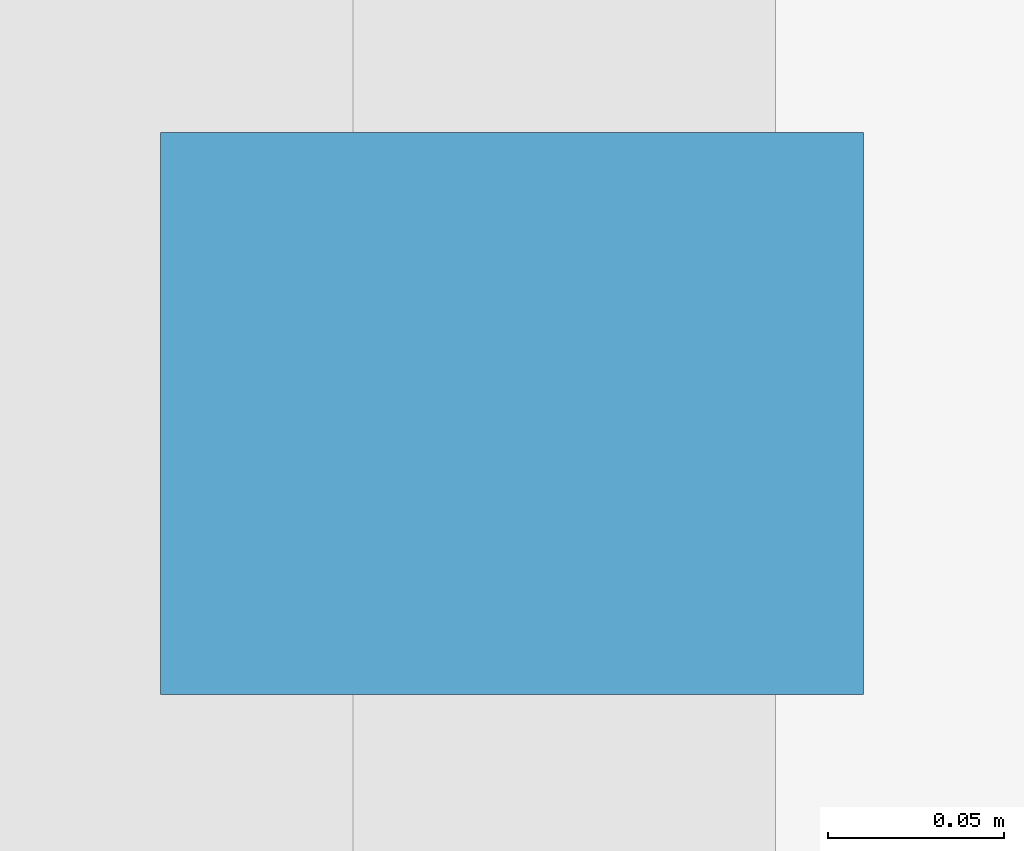
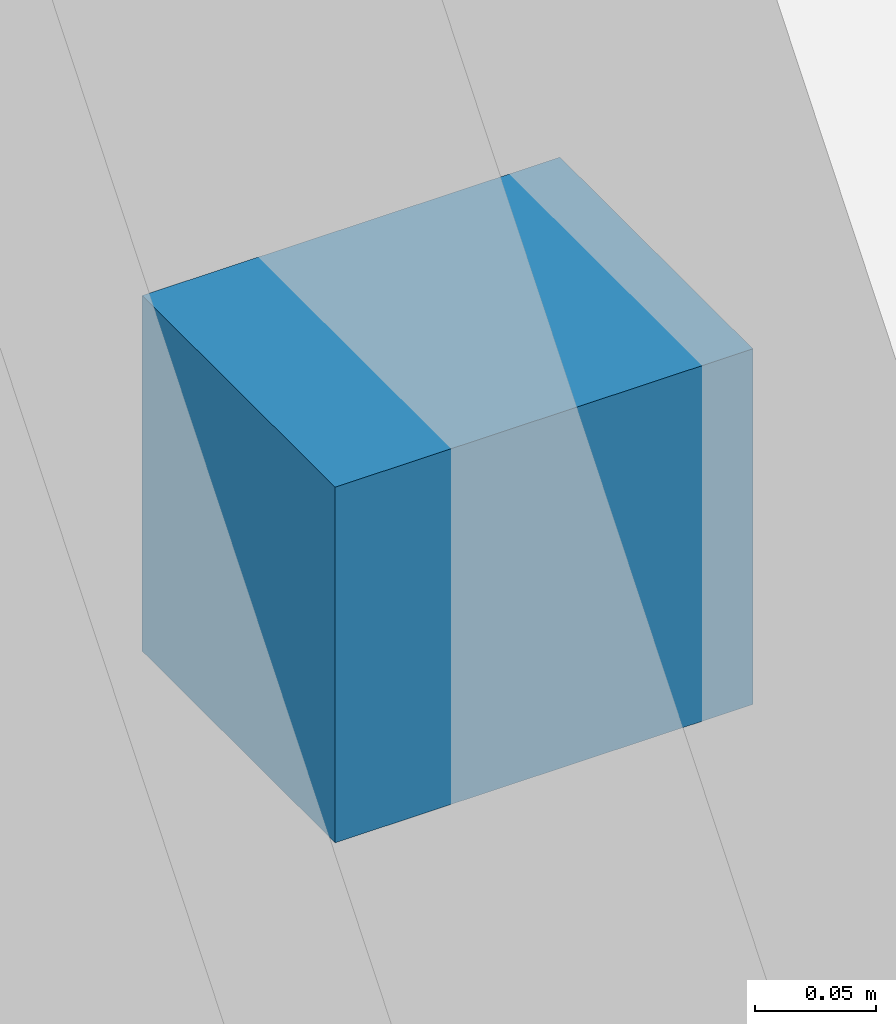
# One storey, part 14 of 17: 1 discrete accessory.
"""IFC4 building model written with IfcOpenShell, lengths in metres."""

from ifc_helpers import new_model, si_unit, direction, frame, origin, origin_2d, place, context, subcontext, project, spatial, rectangle, extrude, material, type_object, element, save


model = new_model("IFC4")

# Units and contexts
model_context = context("Model", 3, precision=1e-05, world=origin(), true_north=direction((0.0, 1.0)))
body_context = subcontext(model_context, "Body", "Model", "MODEL_VIEW")
ifc_project = project(units=[si_unit("LENGTHUNIT", "METRE"), si_unit("AREAUNIT", "SQUARE_METRE"), si_unit("VOLUMEUNIT", "CUBIC_METRE"), si_unit("PLANEANGLEUNIT", "RADIAN"), si_unit("MASSUNIT", "GRAM", prefix="KILO")], contexts=[model_context])

# Site, building, storey
site_placement = place(None, origin())
site = spatial("IfcSite", under=ifc_project, at=site_placement, CompositionType="ELEMENT")
building_placement = place(site_placement, origin())
building = spatial("IfcBuilding", under=site, at=building_placement, Name="Koriwani Terraces Tower", CompositionType="ELEMENT")
storey_placement = place(building_placement, frame((0.0, 0.0, 332.0)))
storey = spatial("IfcBuildingStorey", under=building, at=storey_placement, Name="L82", CompositionType="ELEMENT", Elevation=332.0)

# Discrete accessory
ifc_material = material(Name="Steel ASTM A572 Grade 50", Category="steel")
discrete_accessory_type = type_object("IfcDiscreteAccessoryType", Name="BAGUETTE_STANDOFF_BRACKET", PredefinedType="BRACKET", material=ifc_material)
discrete_accessory_placement = place(storey_placement, frame((8.7900390625, 54.60009765625, 1.7451171875), z_axis=(0.0, 0.0, 1.0), x_axis=(0.0, 1.0, 0.0)))
element("IfcDiscreteAccessory", 1, at=discrete_accessory_placement, inside=storey, type_object=discrete_accessory_type, Name="L82 Terracotta Baguette Bracket (W-15)", PredefinedType="BRACKET", context=body_context, shape_type="SweptSolid", body=[
    extrude(rectangle(XDim=0.159912109375, YDim=0.199951171875, at=origin_2d()), origin(), (0.0, 0.0, 1.0), 0.179931640625),
])

save(model, "model.ifc")
